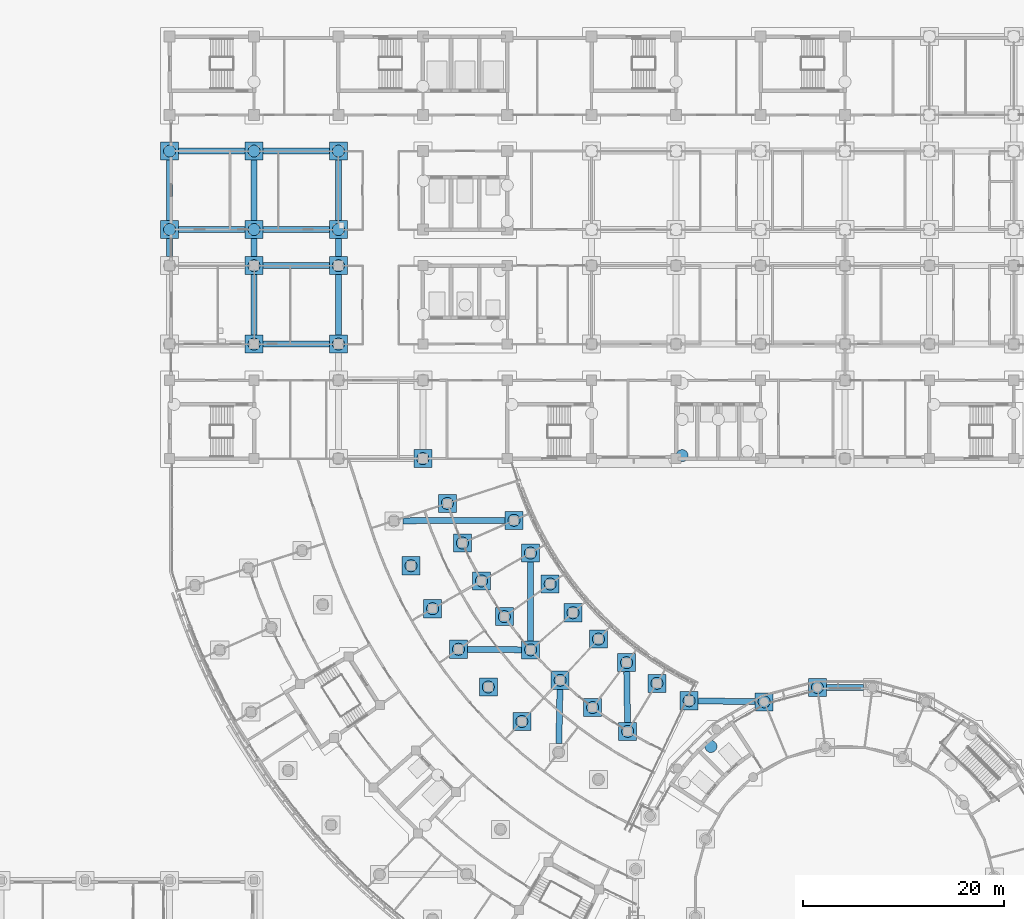
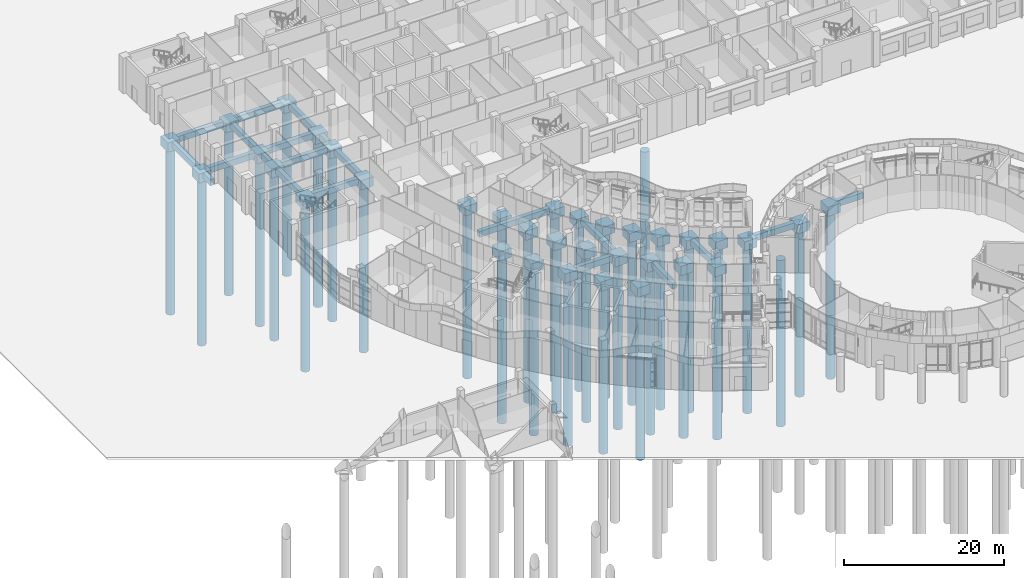
# One storey, part 4 of 146: 55 footings, 36 piles.
"""IFC4 building model written with IfcOpenShell, lengths in metres."""

from ifc_helpers import new_model, si_unit, direction, frame, origin, origin_2d, place, context, subcontext, project, spatial, polyline, rectangle, circle, outline, extrude, material, material_profile, profile_set, type_object, element, save


model = new_model("IFC4")

# Units and contexts
model_context = context("Model", 3, precision=1e-05, world=origin(), true_north=direction((0.0, 1.0)))
body_context = subcontext(model_context, "Body", "Model", "MODEL_VIEW")
ifc_project = project(units=[si_unit("LENGTHUNIT", "METRE"), si_unit("AREAUNIT", "SQUARE_METRE"), si_unit("VOLUMEUNIT", "CUBIC_METRE"), si_unit("PLANEANGLEUNIT", "RADIAN"), si_unit("MASSUNIT", "GRAM", prefix="KILO")], contexts=[model_context])

# Site, building, storey
site_placement = place(None, origin())
site = spatial("IfcSite", under=ifc_project, at=site_placement, CompositionType="ELEMENT")
building_placement = place(site_placement, origin())
building = spatial("IfcBuilding", under=site, at=building_placement, Name="Bougainvillea Quay General Hospital", CompositionType="ELEMENT")
storey_placement = place(building_placement, origin())
storey = spatial("IfcBuildingStorey", under=building, at=storey_placement, Name="L00", CompositionType="ELEMENT", Elevation=0.0)

# Piles
ifc_material_1 = material(Name="Concrete C40", Category="concrete")
ifc_material_profile_1 = material_profile(ifc_material_1, circle(Radius=0.60009765625, at=origin_2d()))
ifc_profile_set_1 = profile_set([ifc_material_profile_1], Name="Concrete C40")
pile_type = type_object("IfcPileType", Name="BORED PILE D1200 C40", PredefinedType="BORED", material=ifc_profile_set_1)
for number, where, z_axis, x_axis, name in (
    (1, (95.868408203125, 88.95703125, -1.60009765625), (0.0, 0.0, -1.0), (1.0, 0.0, 0.0), "Bored pile 135-02"),
    (2, (87.5810546875, 90.458984375, -1.60009765625), (0.0, 0.0, -1.0), (1.0, 0.0, 0.0), "Bored pile 139-01"),
    (3, (77.048095703125, 91.444091796875, -1.60009765625), (0.0, 0.0, -1.0), (1.0, 0.0, 0.0), "Bored pile 140-01"),
    (4, (84.093017578125, 92.8310546875, -1.60009765625), (0.0, 0.0, -1.0), (1.0, 0.0, 0.0), "Bored pile 144-01"),
    (5, (101.1640625, 93.40087890625, -1.60009765625), (0.0, 0.0, -1.0), (1.0, 0.0, 0.0), "Bored pile 145-01"),
    (6, (93.701904296875, 93.507080078125, -1.60009765625), (0.0, 0.0, -1.0), (1.0, 0.0, 0.0), "Bored pile 147-01"),
    (7, (106.458984375, 94.820068359375, -1.60009765625), (0.0, 0.0, -1.0), (1.0, 0.0, 0.0), "Bored pile 149-01"),
    (8, (73.714111328125, 94.8779296875, -1.60009765625), (0.0, 0.0, -1.0), (1.0, 0.0, 0.0), "Bored pile 151-01"),
    (9, (90.490966796875, 95.242919921875, -1.60009765625), (0.0, 0.0, -1.0), (1.0, 0.0, 0.0), "Bored pile 152-01"),
    (10, (80.863037109375, 95.5439453125, -1.60009765625), (0.0, 0.0, -1.0), (1.0, 0.0, 0.0), "Bored pile 153-01"),
    (11, (87.471923828125, 97.2958984375, -1.60009765625), (0.0, 0.0, -1.0), (1.0, 0.0, 0.0), "Bored pile 155-01"),
    (12, (77.924072265625, 98.570068359375, -1.60009765625), (0.0, 0.0, -1.0), (1.0, 0.0, 0.0), "Bored pile 157-01"),
    (13, (70.7451171875, 98.631103515625, -1.60009765625), (0.0, 0.0, -1.0), (1.0, 0.0, 0.0), "Bored pile 158-01"),
    (14, (84.677001953125, 99.64404296875, -1.60009765625), (0.0, 0.0, -1.0), (1.0, 0.0, 0.0), "Bored pile 159-01"),
    (15, (75.30810546875, 101.8779296875, -1.60009765625), (0.0, 0.0, -1.0), (1.0, 0.0, 0.0), "Bored pile 163-01"),
    (16, (82.135009765625, 102.262939453125, -1.60009765625), (0.0, 0.0, -1.0), (1.0, 0.0, 0.0), "Bored pile 164-01"),
    (17, (68.1708984375, 102.666015625, -1.60009765625), (0.0, 0.0, -1.0), (1.0, 0.0, 0.0), "Bored pile 165-01"),
    (18, (79.8701171875, 105.125, -1.60009765625), (0.0, 0.0, -1.0), (1.0, 0.0, 0.0), "Bored pile 168-01"),
    (19, (73.0390625, 105.43408203125, -1.60009765625), (0.0, 0.0, -1.0), (1.0, 0.0, 0.0), "Bored pile 169-01"),
    (20, (66.01904296875, 106.94091796875, -1.60009765625), (0.0, 0.0, -1.0), (1.0, 0.0, 0.0), "Bored pile 171-01"),
    (21, (77.906982421875, 108.202880859375, -1.60009765625), (0.0, 0.0, -1.0), (1.0, 0.0, 0.0), "Bored pile 172-01"),
    (22, (71.14208984375, 109.201904296875, -1.60009765625), (0.0, 0.0, -1.0), (1.0, 0.0, 0.0), "Bored pile 178-01"),
    (23, (76.26611328125, 111.462890625, -1.60009765625), (0.0, 0.0, -1.0), (1.0, 0.0, 0.0), "Bored pile 180-01"),
    (24, (69.636962890625, 113.14208984375, -1.60009765625), (0.0, 0.0, -1.0), (1.0, 0.0, 0.0), "Bored pile 181-01"),
    (25, (67.199951171875, 117.60009765625, -1.60009765625), (0.0, 0.0, -1.0), (1.0, 0.0, 0.0), "Bored pile 183-01"),
    (26, (93.0, 117.89990234375, -1.60009765625), (0.0, 0.0, -1.0), (1.0, 0.0, 0.0), "Bored pile 191-01"),
    (27, (50.39990234375, 129.0, -1.60009765625), (0.0, 0.0, -1.0), (1.0, 0.0, 0.0), "Bored pile 205-01"),
    (28, (58.800048828125, 129.0, -1.60009765625), (0.0, 0.0, -1.0), (1.0, 0.0, 0.0), "Bored pile 206-01"),
    (29, (50.39990234375, 136.800048828125, -1.60009765625), (0.0, 0.0, -1.0), (1.0, 0.0, 0.0), "Bored pile 222-01"),
    (30, (58.800048828125, 136.800048828125, -1.60009765625), (0.0, 0.0, -1.0), (1.0, 0.0, 0.0), "Bored pile 223-01"),
    (31, (42.0, 140.39990234375, -1.60009765625), (0.0, 0.0, -1.0), (1.0, 0.0, 0.0), "Bored pile 236-01"),
    (32, (50.39990234375, 140.39990234375, -1.60009765625), (0.0, 0.0, -1.0), (1.0, 0.0, 0.0), "Bored pile 237-01"),
    (33, (58.800048828125, 140.39990234375, -1.60009765625), (0.0, 0.0, -1.0), (1.0, 0.0, 0.0), "Bored pile 238-01"),
    (34, (42.0, 148.199951171875, -1.60009765625), (0.0, 0.0, -1.0), (1.0, 0.0, 0.0), "Bored pile 253-01"),
    (35, (50.39990234375, 148.199951171875, -1.60009765625), (0.0, 0.0, -1.0), (1.0, 0.0, 0.0), "Bored pile 254-01"),
    (36, (58.800048828125, 148.199951171875, -1.60009765625), (0.0, 0.0, -1.0), (1.0, 0.0, 0.0), "Bored pile 255-01"),
):
    element("IfcPile", number, at=place(storey_placement, frame(where, z_axis=z_axis, x_axis=x_axis)), inside=storey, type_object=pile_type, Name=name, PredefinedType="BORED", context=body_context, shape_type="SweptSolid", body=[
        extrude(circle(Radius=0.60009765625, at=origin_2d()), origin(), (0.0, 0.0, 1.0), 25.39990234375),
    ])

# Footings
ifc_material_2 = material(Name="Concrete C35", Category="concrete")
footing_type_1 = type_object("IfcFootingType", Name="PILE CAP 1P D1200 1800x1800x1400", PredefinedType="PILE_CAP", material=ifc_material_2)
footing_1_placement = place(storey_placement, frame((0.0, 0.0, -1.699951171875)))
element("IfcFooting", 37, at=footing_1_placement, inside=storey, type_object=footing_type_1, Name="Pile cap PC1 139", PredefinedType="PILE_CAP", context=body_context, shape_type="SweptSolid", body=[
    extrude(outline(polyline([(86.680908203125, 89.55908203125), (88.48095703125, 89.55908203125), (88.48095703125, 91.35888671875), (86.680908203125, 91.35888671875), (86.680908203125, 89.55908203125)])), origin(), (0.0, 0.0, 1.0), 1.39990234375),
])
footing_2_placement = place(storey_placement, frame((0.0, 0.0, -1.699951171875)))
element("IfcFooting", 38, at=footing_2_placement, inside=storey, type_object=footing_type_1, Name="Pile cap PC1 140", PredefinedType="PILE_CAP", context=body_context, shape_type="SweptSolid", body=[
    extrude(outline(polyline([(76.14794921875, 90.5439453125), (77.947998046875, 90.5439453125), (77.947998046875, 92.343994140625), (76.14794921875, 92.343994140625), (76.14794921875, 90.5439453125)])), origin(), (0.0, 0.0, 1.0), 1.39990234375),
])
footing_3_placement = place(storey_placement, frame((0.0, 0.0, -1.699951171875)))
element("IfcFooting", 39, at=footing_3_placement, inside=storey, type_object=footing_type_1, Name="Pile cap PC1 144", PredefinedType="PILE_CAP", context=body_context, shape_type="SweptSolid", body=[
    extrude(outline(polyline([(83.193115234375, 91.930908203125), (84.992919921875, 91.930908203125), (84.992919921875, 93.73095703125), (83.193115234375, 93.73095703125), (83.193115234375, 91.930908203125)])), origin(), (0.0, 0.0, 1.0), 1.39990234375),
])
footing_4_placement = place(storey_placement, frame((0.0, 0.0, -1.699951171875)))
element("IfcFooting", 40, at=footing_4_placement, inside=storey, type_object=footing_type_1, Name="Pile cap PC1 145", PredefinedType="PILE_CAP", context=body_context, shape_type="SweptSolid", body=[
    extrude(outline(polyline([(100.263916015625, 92.5009765625), (102.06396484375, 92.5009765625), (102.06396484375, 94.301025390625), (100.263916015625, 94.301025390625), (100.263916015625, 92.5009765625)])), origin(), (0.0, 0.0, 1.0), 1.39990234375),
])
footing_5_placement = place(storey_placement, frame((0.0, 0.0, -1.699951171875)))
element("IfcFooting", 41, at=footing_5_placement, inside=storey, type_object=footing_type_1, Name="Pile cap PC1 147", PredefinedType="PILE_CAP", context=body_context, shape_type="SweptSolid", body=[
    extrude(outline(polyline([(92.802001953125, 92.60693359375), (94.60205078125, 92.60693359375), (94.60205078125, 94.406982421875), (92.802001953125, 94.406982421875), (92.802001953125, 92.60693359375)])), origin(), (0.0, 0.0, 1.0), 1.39990234375),
])
footing_6_placement = place(storey_placement, frame((0.0, 0.0, -1.699951171875)))
element("IfcFooting", 42, at=footing_6_placement, inside=storey, type_object=footing_type_1, Name="Pile cap PC1 149", PredefinedType="PILE_CAP", context=body_context, shape_type="SweptSolid", body=[
    extrude(outline(polyline([(105.55908203125, 93.919921875), (107.35888671875, 93.919921875), (107.35888671875, 95.719970703125), (105.55908203125, 95.719970703125), (105.55908203125, 93.919921875)])), origin(), (0.0, 0.0, 1.0), 1.39990234375),
])
footing_7_placement = place(storey_placement, frame((0.0, 0.0, -1.699951171875)))
element("IfcFooting", 43, at=footing_7_placement, inside=storey, type_object=footing_type_1, Name="Pile cap PC1 151", PredefinedType="PILE_CAP", context=body_context, shape_type="SweptSolid", body=[
    extrude(outline(polyline([(72.81396484375, 93.97802734375), (74.614013671875, 93.97802734375), (74.614013671875, 95.778076171875), (72.81396484375, 95.778076171875), (72.81396484375, 93.97802734375)])), origin(), (0.0, 0.0, 1.0), 1.39990234375),
])
footing_8_placement = place(storey_placement, frame((0.0, 0.0, -1.699951171875)))
element("IfcFooting", 44, at=footing_8_placement, inside=storey, type_object=footing_type_1, Name="Pile cap PC1 152", PredefinedType="PILE_CAP", context=body_context, shape_type="SweptSolid", body=[
    extrude(outline(polyline([(89.591064453125, 94.343017578125), (91.39111328125, 94.343017578125), (91.39111328125, 96.14306640625), (89.591064453125, 96.14306640625), (89.591064453125, 94.343017578125)])), origin(), (0.0, 0.0, 1.0), 1.39990234375),
])
footing_9_placement = place(storey_placement, frame((0.0, 0.0, -1.699951171875)))
element("IfcFooting", 45, at=footing_9_placement, inside=storey, type_object=footing_type_1, Name="Pile cap PC1 153", PredefinedType="PILE_CAP", context=body_context, shape_type="SweptSolid", body=[
    extrude(outline(polyline([(79.962890625, 94.64404296875), (81.762939453125, 94.64404296875), (81.762939453125, 96.444091796875), (79.962890625, 96.444091796875), (79.962890625, 94.64404296875)])), origin(), (0.0, 0.0, 1.0), 1.39990234375),
])
footing_10_placement = place(storey_placement, frame((0.0, 0.0, -1.699951171875)))
element("IfcFooting", 46, at=footing_10_placement, inside=storey, type_object=footing_type_1, Name="Pile cap PC1 155", PredefinedType="PILE_CAP", context=body_context, shape_type="SweptSolid", body=[
    extrude(outline(polyline([(86.572021484375, 96.39599609375), (88.3720703125, 96.39599609375), (88.3720703125, 98.196044921875), (86.572021484375, 98.196044921875), (86.572021484375, 96.39599609375)])), origin(), (0.0, 0.0, 1.0), 1.39990234375),
])
footing_11_placement = place(storey_placement, frame((0.0, 0.0, -1.699951171875)))
element("IfcFooting", 47, at=footing_11_placement, inside=storey, type_object=footing_type_1, Name="Pile cap PC1 157", PredefinedType="PILE_CAP", context=body_context, shape_type="SweptSolid", body=[
    extrude(outline(polyline([(77.02392578125, 97.669921875), (78.823974609375, 97.669921875), (78.823974609375, 99.469970703125), (77.02392578125, 99.469970703125), (77.02392578125, 97.669921875)])), origin(), (0.0, 0.0, 1.0), 1.39990234375),
])
footing_12_placement = place(storey_placement, frame((0.0, 0.0, -1.699951171875)))
element("IfcFooting", 48, at=footing_12_placement, inside=storey, type_object=footing_type_1, Name="Pile cap PC1 158", PredefinedType="PILE_CAP", context=body_context, shape_type="SweptSolid", body=[
    extrude(outline(polyline([(69.844970703125, 97.73095703125), (71.64501953125, 97.73095703125), (71.64501953125, 99.531005859375), (69.844970703125, 99.531005859375), (69.844970703125, 97.73095703125)])), origin(), (0.0, 0.0, 1.0), 1.39990234375),
])
footing_13_placement = place(storey_placement, frame((0.0, 0.0, -1.699951171875)))
element("IfcFooting", 49, at=footing_13_placement, inside=storey, type_object=footing_type_1, Name="Pile cap PC1 159", PredefinedType="PILE_CAP", context=body_context, shape_type="SweptSolid", body=[
    extrude(outline(polyline([(83.777099609375, 98.743896484375), (85.576904296875, 98.743896484375), (85.576904296875, 100.5439453125), (83.777099609375, 100.5439453125), (83.777099609375, 98.743896484375)])), origin(), (0.0, 0.0, 1.0), 1.39990234375),
])
footing_14_placement = place(storey_placement, frame((0.0, 0.0, -1.699951171875)))
element("IfcFooting", 50, at=footing_14_placement, inside=storey, type_object=footing_type_1, Name="Pile cap PC1 163", PredefinedType="PILE_CAP", context=body_context, shape_type="SweptSolid", body=[
    extrude(outline(polyline([(74.407958984375, 100.97802734375), (76.2080078125, 100.97802734375), (76.2080078125, 102.778076171875), (74.407958984375, 102.778076171875), (74.407958984375, 100.97802734375)])), origin(), (0.0, 0.0, 1.0), 1.39990234375),
])
footing_15_placement = place(storey_placement, frame((0.0, 0.0, -1.699951171875)))
element("IfcFooting", 51, at=footing_15_placement, inside=storey, type_object=footing_type_1, Name="Pile cap PC1 164", PredefinedType="PILE_CAP", context=body_context, shape_type="SweptSolid", body=[
    extrude(outline(polyline([(81.235107421875, 101.363037109375), (83.034912109375, 101.363037109375), (83.034912109375, 103.1630859375), (81.235107421875, 103.1630859375), (81.235107421875, 101.363037109375)])), origin(), (0.0, 0.0, 1.0), 1.39990234375),
])
footing_16_placement = place(storey_placement, frame((0.0, 0.0, -1.699951171875)))
element("IfcFooting", 52, at=footing_16_placement, inside=storey, type_object=footing_type_1, Name="Pile cap PC1 165", PredefinedType="PILE_CAP", context=body_context, shape_type="SweptSolid", body=[
    extrude(outline(polyline([(67.27099609375, 101.76611328125), (69.071044921875, 101.76611328125), (69.071044921875, 103.56591796875), (67.27099609375, 103.56591796875), (67.27099609375, 101.76611328125)])), origin(), (0.0, 0.0, 1.0), 1.39990234375),
])
footing_17_placement = place(storey_placement, frame((0.0, 0.0, -1.699951171875)))
element("IfcFooting", 53, at=footing_17_placement, inside=storey, type_object=footing_type_1, Name="Pile cap PC1 168", PredefinedType="PILE_CAP", context=body_context, shape_type="SweptSolid", body=[
    extrude(outline(polyline([(78.969970703125, 104.22509765625), (80.77001953125, 104.22509765625), (80.77001953125, 106.02490234375), (78.969970703125, 106.02490234375), (78.969970703125, 104.22509765625)])), origin(), (0.0, 0.0, 1.0), 1.39990234375),
])
footing_18_placement = place(storey_placement, frame((0.0, 0.0, -1.699951171875)))
element("IfcFooting", 54, at=footing_18_placement, inside=storey, type_object=footing_type_1, Name="Pile cap PC1 169", PredefinedType="PILE_CAP", context=body_context, shape_type="SweptSolid", body=[
    extrude(outline(polyline([(72.138916015625, 104.533935546875), (73.93896484375, 104.533935546875), (73.93896484375, 106.333984375), (72.138916015625, 106.333984375), (72.138916015625, 104.533935546875)])), origin(), (0.0, 0.0, 1.0), 1.39990234375),
])
footing_19_placement = place(storey_placement, frame((0.0, 0.0, -1.699951171875)))
element("IfcFooting", 55, at=footing_19_placement, inside=storey, type_object=footing_type_1, Name="Pile cap PC1 171", PredefinedType="PILE_CAP", context=body_context, shape_type="SweptSolid", body=[
    extrude(outline(polyline([(65.118896484375, 106.041015625), (66.9189453125, 106.041015625), (66.9189453125, 107.841064453125), (65.118896484375, 107.841064453125), (65.118896484375, 106.041015625)])), origin(), (0.0, 0.0, 1.0), 1.39990234375),
])
footing_20_placement = place(storey_placement, frame((0.0, 0.0, -1.699951171875)))
element("IfcFooting", 56, at=footing_20_placement, inside=storey, type_object=footing_type_1, Name="Pile cap PC1 172", PredefinedType="PILE_CAP", context=body_context, shape_type="SweptSolid", body=[
    extrude(outline(polyline([(77.007080078125, 107.302978515625), (78.806884765625, 107.302978515625), (78.806884765625, 109.10302734375), (77.007080078125, 109.10302734375), (77.007080078125, 107.302978515625)])), origin(), (0.0, 0.0, 1.0), 1.39990234375),
])
footing_21_placement = place(storey_placement, frame((0.0, 0.0, -1.699951171875)))
element("IfcFooting", 57, at=footing_21_placement, inside=storey, type_object=footing_type_1, Name="Pile cap PC1 178", PredefinedType="PILE_CAP", context=body_context, shape_type="SweptSolid", body=[
    extrude(outline(polyline([(70.241943359375, 108.302001953125), (72.0419921875, 108.302001953125), (72.0419921875, 110.10205078125), (70.241943359375, 110.10205078125), (70.241943359375, 108.302001953125)])), origin(), (0.0, 0.0, 1.0), 1.39990234375),
])
footing_22_placement = place(storey_placement, frame((0.0, 0.0, -1.699951171875)))
element("IfcFooting", 58, at=footing_22_placement, inside=storey, type_object=footing_type_1, Name="Pile cap PC1 180", PredefinedType="PILE_CAP", context=body_context, shape_type="SweptSolid", body=[
    extrude(outline(polyline([(75.365966796875, 110.56298828125), (77.166015625, 110.56298828125), (77.166015625, 112.363037109375), (75.365966796875, 112.363037109375), (75.365966796875, 110.56298828125)])), origin(), (0.0, 0.0, 1.0), 1.39990234375),
])
footing_23_placement = place(storey_placement, frame((0.0, 0.0, -1.699951171875)))
element("IfcFooting", 59, at=footing_23_placement, inside=storey, type_object=footing_type_1, Name="Pile cap PC1 181", PredefinedType="PILE_CAP", context=body_context, shape_type="SweptSolid", body=[
    extrude(outline(polyline([(68.737060546875, 112.241943359375), (70.537109375, 112.241943359375), (70.537109375, 114.0419921875), (68.737060546875, 114.0419921875), (68.737060546875, 112.241943359375)])), origin(), (0.0, 0.0, 1.0), 1.39990234375),
])
footing_24_placement = place(storey_placement, frame((0.0, 0.0, -1.699951171875)))
element("IfcFooting", 60, at=footing_24_placement, inside=storey, type_object=footing_type_1, Name="Pile cap PC1 183", PredefinedType="PILE_CAP", context=body_context, shape_type="SweptSolid", body=[
    extrude(outline(polyline([(66.300048828125, 116.699951171875), (68.10009765625, 116.699951171875), (68.10009765625, 118.5), (66.300048828125, 118.5), (66.300048828125, 116.699951171875)])), origin(), (0.0, 0.0, 1.0), 1.39990234375),
])
footing_25_placement = place(storey_placement, frame((0.0, 0.0, -1.699951171875)))
element("IfcFooting", 61, at=footing_25_placement, inside=storey, type_object=footing_type_1, Name="Pile cap PC1 205", PredefinedType="PILE_CAP", context=body_context, shape_type="SweptSolid", body=[
    extrude(outline(polyline([(49.5, 128.10009765625), (51.300048828125, 128.10009765625), (51.300048828125, 129.89990234375), (49.5, 129.89990234375), (49.5, 128.10009765625)])), origin(), (0.0, 0.0, 1.0), 1.39990234375),
])
footing_26_placement = place(storey_placement, frame((0.0, 0.0, -1.699951171875)))
element("IfcFooting", 62, at=footing_26_placement, inside=storey, type_object=footing_type_1, Name="Pile cap PC1 206", PredefinedType="PILE_CAP", context=body_context, shape_type="SweptSolid", body=[
    extrude(outline(polyline([(57.89990234375, 128.10009765625), (59.699951171875, 128.10009765625), (59.699951171875, 129.89990234375), (57.89990234375, 129.89990234375), (57.89990234375, 128.10009765625)])), origin(), (0.0, 0.0, 1.0), 1.39990234375),
])
footing_27_placement = place(storey_placement, frame((0.0, 0.0, -1.699951171875)))
element("IfcFooting", 63, at=footing_27_placement, inside=storey, type_object=footing_type_1, Name="Pile cap PC1 222", PredefinedType="PILE_CAP", context=body_context, shape_type="SweptSolid", body=[
    extrude(outline(polyline([(49.5, 135.89990234375), (51.300048828125, 135.89990234375), (51.300048828125, 137.699951171875), (49.5, 137.699951171875), (49.5, 135.89990234375)])), origin(), (0.0, 0.0, 1.0), 1.39990234375),
])
footing_28_placement = place(storey_placement, frame((0.0, 0.0, -1.699951171875)))
element("IfcFooting", 64, at=footing_28_placement, inside=storey, type_object=footing_type_1, Name="Pile cap PC1 223", PredefinedType="PILE_CAP", context=body_context, shape_type="SweptSolid", body=[
    extrude(outline(polyline([(57.89990234375, 135.89990234375), (59.699951171875, 135.89990234375), (59.699951171875, 137.699951171875), (57.89990234375, 137.699951171875), (57.89990234375, 135.89990234375)])), origin(), (0.0, 0.0, 1.0), 1.39990234375),
])
footing_29_placement = place(storey_placement, frame((0.0, 0.0, -1.699951171875)))
element("IfcFooting", 65, at=footing_29_placement, inside=storey, type_object=footing_type_1, Name="Pile cap PC1 236", PredefinedType="PILE_CAP", context=body_context, shape_type="SweptSolid", body=[
    extrude(outline(polyline([(41.10009765625, 139.5), (42.89990234375, 139.5), (42.89990234375, 141.300048828125), (41.10009765625, 141.300048828125), (41.10009765625, 139.5)])), origin(), (0.0, 0.0, 1.0), 1.39990234375),
])
footing_30_placement = place(storey_placement, frame((0.0, 0.0, -1.699951171875)))
element("IfcFooting", 66, at=footing_30_placement, inside=storey, type_object=footing_type_1, Name="Pile cap PC1 237", PredefinedType="PILE_CAP", context=body_context, shape_type="SweptSolid", body=[
    extrude(outline(polyline([(49.5, 139.5), (51.300048828125, 139.5), (51.300048828125, 141.300048828125), (49.5, 141.300048828125), (49.5, 139.5)])), origin(), (0.0, 0.0, 1.0), 1.39990234375),
])
footing_31_placement = place(storey_placement, frame((0.0, 0.0, -1.699951171875)))
element("IfcFooting", 67, at=footing_31_placement, inside=storey, type_object=footing_type_1, Name="Pile cap PC1 238", PredefinedType="PILE_CAP", context=body_context, shape_type="SweptSolid", body=[
    extrude(outline(polyline([(57.89990234375, 139.5), (59.699951171875, 139.5), (59.699951171875, 141.300048828125), (57.89990234375, 141.300048828125), (57.89990234375, 139.5)])), origin(), (0.0, 0.0, 1.0), 1.39990234375),
])
footing_32_placement = place(storey_placement, frame((0.0, 0.0, -1.699951171875)))
element("IfcFooting", 68, at=footing_32_placement, inside=storey, type_object=footing_type_1, Name="Pile cap PC1 253", PredefinedType="PILE_CAP", context=body_context, shape_type="SweptSolid", body=[
    extrude(outline(polyline([(41.10009765625, 147.300048828125), (42.89990234375, 147.300048828125), (42.89990234375, 149.10009765625), (41.10009765625, 149.10009765625), (41.10009765625, 147.300048828125)])), origin(), (0.0, 0.0, 1.0), 1.39990234375),
])
footing_33_placement = place(storey_placement, frame((0.0, 0.0, -1.699951171875)))
element("IfcFooting", 69, at=footing_33_placement, inside=storey, type_object=footing_type_1, Name="Pile cap PC1 254", PredefinedType="PILE_CAP", context=body_context, shape_type="SweptSolid", body=[
    extrude(outline(polyline([(49.5, 147.300048828125), (51.300048828125, 147.300048828125), (51.300048828125, 149.10009765625), (49.5, 149.10009765625), (49.5, 147.300048828125)])), origin(), (0.0, 0.0, 1.0), 1.39990234375),
])
footing_34_placement = place(storey_placement, frame((0.0, 0.0, -1.699951171875)))
element("IfcFooting", 70, at=footing_34_placement, inside=storey, type_object=footing_type_1, Name="Pile cap PC1 255", PredefinedType="PILE_CAP", context=body_context, shape_type="SweptSolid", body=[
    extrude(outline(polyline([(57.89990234375, 147.300048828125), (59.699951171875, 147.300048828125), (59.699951171875, 149.10009765625), (57.89990234375, 149.10009765625), (57.89990234375, 147.300048828125)])), origin(), (0.0, 0.0, 1.0), 1.39990234375),
])
ifc_material_profile_2 = material_profile(ifc_material_2, rectangle(XDim=0.60009765625, YDim=0.89990234375, at=origin_2d()))
ifc_profile_set_2 = profile_set([ifc_material_profile_2], Name="Concrete C35")
footing_type_2 = type_object("IfcFootingType", Name="RC GROUND BEAM 600x900 C35", PredefinedType="FOOTING_BEAM", material=ifc_profile_set_2)
footing_35_placement = place(storey_placement, frame((0.0, 0.0, -1.199951171875)))
element("IfcFooting", 71, at=footing_35_placement, inside=storey, type_object=footing_type_2, Name="Ground beam 147", PredefinedType="FOOTING_BEAM", context=body_context, shape_type="SweptSolid", body=[
    extrude(outline(polyline([(80.431884765625, 89.272216796875), (80.544189453125, 94.650146484375), (81.14404296875, 94.6376953125), (81.03173828125, 89.259765625), (80.431884765625, 89.272216796875)])), origin(), (0.0, 0.0, 1.0), 0.89990234375),
])
footing_36_placement = place(storey_placement, frame((0.0, 0.0, -1.199951171875)))
element("IfcFooting", 72, at=footing_36_placement, inside=storey, type_object=footing_type_2, Name="Ground beam 148", PredefinedType="FOOTING_BEAM", context=body_context, shape_type="SweptSolid", body=[
    extrude(outline(polyline([(87.2666015625, 91.354248046875), (87.186279296875, 96.39111328125), (87.786376953125, 96.40087890625), (87.86669921875, 91.36376953125), (87.2666015625, 91.354248046875)])), origin(), (0.0, 0.0, 1.0), 0.89990234375),
])
footing_37_placement = place(storey_placement, frame((0.0, 0.0, -1.199951171875)))
element("IfcFooting", 73, at=footing_37_placement, inside=storey, type_object=footing_type_2, Name="Ground beam 156", PredefinedType="FOOTING_BEAM", context=body_context, shape_type="SweptSolid", body=[
    extrude(outline(polyline([(94.606201171875, 93.794189453125), (100.268310546875, 93.7138671875), (100.259765625, 93.11376953125), (94.59765625, 93.1943359375), (94.606201171875, 93.794189453125)])), origin(), (0.0, 0.0, 1.0), 0.89990234375),
])
footing_38_placement = place(storey_placement, frame((0.0, 0.0, -1.199951171875)))
element("IfcFooting", 74, at=footing_38_placement, inside=storey, type_object=footing_type_2, Name="Ground beam 158", PredefinedType="FOOTING_BEAM", context=body_context, shape_type="SweptSolid", body=[
    extrude(outline(polyline([(107.35888671875, 95.1201171875), (111.041015625, 95.1201171875), (111.041015625, 94.52001953125), (107.35888671875, 94.52001953125), (107.35888671875, 95.1201171875)])), origin(), (0.0, 0.0, 1.0), 0.89990234375),
])
footing_39_placement = place(storey_placement, frame((0.0, 0.0, -1.199951171875)))
element("IfcFooting", 75, at=footing_39_placement, inside=storey, type_object=footing_type_2, Name="Ground beam 161", PredefinedType="FOOTING_BEAM", context=body_context, shape_type="SweptSolid", body=[
    extrude(outline(polyline([(77.622314453125, 99.469482421875), (77.608642578125, 107.302490234375), (78.20849609375, 107.303466796875), (78.222412109375, 99.470458984375), (77.622314453125, 99.469482421875)])), origin(), (0.0, 0.0, 1.0), 0.89990234375),
])
footing_40_placement = place(storey_placement, frame((0.0, 0.0, -1.199951171875)))
element("IfcFooting", 76, at=footing_40_placement, inside=storey, type_object=footing_type_2, Name="Ground beam 162", PredefinedType="FOOTING_BEAM", context=body_context, shape_type="SweptSolid", body=[
    extrude(outline(polyline([(71.6474609375, 98.92333984375), (77.026611328125, 98.877685546875), (77.021484375, 98.277587890625), (71.642333984375, 98.3232421875), (71.6474609375, 98.92333984375)])), origin(), (0.0, 0.0, 1.0), 0.89990234375),
])
footing_41_placement = place(storey_placement, frame((0.0, 0.0, -1.199951171875)))
element("IfcFooting", 77, at=footing_41_placement, inside=storey, type_object=footing_type_2, Name="Ground beam 177", PredefinedType="FOOTING_BEAM", context=body_context, shape_type="SweptSolid", body=[
    extrude(outline(polyline([(65.209716796875, 111.71484375), (75.36474609375, 111.759033203125), (75.3671875, 111.1591796875), (65.21240234375, 111.114990234375), (65.209716796875, 111.71484375)])), origin(), (0.0, 0.0, 1.0), 0.89990234375),
])
footing_42_placement = place(storey_placement, frame((0.0, 0.0, -1.199951171875)))
element("IfcFooting", 78, at=footing_42_placement, inside=storey, type_object=footing_type_2, Name="Ground beam 214", PredefinedType="FOOTING_BEAM", context=body_context, shape_type="SweptSolid", body=[
    extrude(outline(polyline([(51.300048828125, 129.300048828125), (57.89990234375, 129.300048828125), (57.89990234375, 128.699951171875), (51.300048828125, 128.699951171875), (51.300048828125, 129.300048828125)])), origin(), (0.0, 0.0, 1.0), 0.89990234375),
])
footing_43_placement = place(storey_placement, frame((0.0, 0.0, -1.199951171875)))
element("IfcFooting", 79, at=footing_43_placement, inside=storey, type_object=footing_type_2, Name="Ground beam 215", PredefinedType="FOOTING_BEAM", context=body_context, shape_type="SweptSolid", body=[
    extrude(outline(polyline([(50.10009765625, 129.89990234375), (50.10009765625, 135.89990234375), (50.699951171875, 135.89990234375), (50.699951171875, 129.89990234375), (50.10009765625, 129.89990234375)])), origin(), (0.0, 0.0, 1.0), 0.89990234375),
])
footing_44_placement = place(storey_placement, frame((0.0, 0.0, -1.199951171875)))
element("IfcFooting", 80, at=footing_44_placement, inside=storey, type_object=footing_type_2, Name="Ground beam 217", PredefinedType="FOOTING_BEAM", context=body_context, shape_type="SweptSolid", body=[
    extrude(outline(polyline([(58.5, 129.89990234375), (58.5, 135.89990234375), (59.10009765625, 135.89990234375), (59.10009765625, 129.89990234375), (58.5, 129.89990234375)])), origin(), (0.0, 0.0, 1.0), 0.89990234375),
])
footing_45_placement = place(storey_placement, frame((0.0, 0.0, -1.199951171875)))
element("IfcFooting", 81, at=footing_45_placement, inside=storey, type_object=footing_type_2, Name="Ground beam 244", PredefinedType="FOOTING_BEAM", context=body_context, shape_type="SweptSolid", body=[
    extrude(outline(polyline([(41.699951171875, 137.699951171875), (41.699951171875, 139.5), (42.300048828125, 139.5), (42.300048828125, 137.699951171875), (41.699951171875, 137.699951171875)])), origin(), (0.0, 0.0, 1.0), 0.89990234375),
])
footing_46_placement = place(storey_placement, frame((0.0, 0.0, -1.199951171875)))
element("IfcFooting", 82, at=footing_46_placement, inside=storey, type_object=footing_type_2, Name="Ground beam 245", PredefinedType="FOOTING_BEAM", context=body_context, shape_type="SweptSolid", body=[
    extrude(outline(polyline([(51.300048828125, 137.10009765625), (57.89990234375, 137.10009765625), (57.89990234375, 136.5), (51.300048828125, 136.5), (51.300048828125, 137.10009765625)])), origin(), (0.0, 0.0, 1.0), 0.89990234375),
])
footing_47_placement = place(storey_placement, frame((0.0, 0.0, -1.199951171875)))
element("IfcFooting", 83, at=footing_47_placement, inside=storey, type_object=footing_type_2, Name="Ground beam 246", PredefinedType="FOOTING_BEAM", context=body_context, shape_type="SweptSolid", body=[
    extrude(outline(polyline([(50.10009765625, 137.699951171875), (50.10009765625, 139.5), (50.699951171875, 139.5), (50.699951171875, 137.699951171875), (50.10009765625, 137.699951171875)])), origin(), (0.0, 0.0, 1.0), 0.89990234375),
])
footing_48_placement = place(storey_placement, frame((0.0, 0.0, -1.199951171875)))
element("IfcFooting", 84, at=footing_48_placement, inside=storey, type_object=footing_type_2, Name="Ground beam 248", PredefinedType="FOOTING_BEAM", context=body_context, shape_type="SweptSolid", body=[
    extrude(outline(polyline([(58.5, 137.699951171875), (58.5, 139.5), (59.10009765625, 139.5), (59.10009765625, 137.699951171875), (58.5, 137.699951171875)])), origin(), (0.0, 0.0, 1.0), 0.89990234375),
])
footing_49_placement = place(storey_placement, frame((0.0, 0.0, -1.199951171875)))
element("IfcFooting", 85, at=footing_49_placement, inside=storey, type_object=footing_type_2, Name="Ground beam 270", PredefinedType="FOOTING_BEAM", context=body_context, shape_type="SweptSolid", body=[
    extrude(outline(polyline([(42.89990234375, 140.699951171875), (49.5, 140.699951171875), (49.5, 140.10009765625), (42.89990234375, 140.10009765625), (42.89990234375, 140.699951171875)])), origin(), (0.0, 0.0, 1.0), 0.89990234375),
])
footing_50_placement = place(storey_placement, frame((0.0, 0.0, -1.199951171875)))
element("IfcFooting", 86, at=footing_50_placement, inside=storey, type_object=footing_type_2, Name="Ground beam 271", PredefinedType="FOOTING_BEAM", context=body_context, shape_type="SweptSolid", body=[
    extrude(outline(polyline([(41.699951171875, 141.300048828125), (41.699951171875, 147.300048828125), (42.300048828125, 147.300048828125), (42.300048828125, 141.300048828125), (41.699951171875, 141.300048828125)])), origin(), (0.0, 0.0, 1.0), 0.89990234375),
])
footing_51_placement = place(storey_placement, frame((0.0, 0.0, -1.199951171875)))
element("IfcFooting", 87, at=footing_51_placement, inside=storey, type_object=footing_type_2, Name="Ground beam 272", PredefinedType="FOOTING_BEAM", context=body_context, shape_type="SweptSolid", body=[
    extrude(outline(polyline([(51.300048828125, 140.699951171875), (57.89990234375, 140.699951171875), (57.89990234375, 140.10009765625), (51.300048828125, 140.10009765625), (51.300048828125, 140.699951171875)])), origin(), (0.0, 0.0, 1.0), 0.89990234375),
])
footing_52_placement = place(storey_placement, frame((0.0, 0.0, -1.199951171875)))
element("IfcFooting", 88, at=footing_52_placement, inside=storey, type_object=footing_type_2, Name="Ground beam 273", PredefinedType="FOOTING_BEAM", context=body_context, shape_type="SweptSolid", body=[
    extrude(outline(polyline([(50.10009765625, 141.300048828125), (50.10009765625, 147.300048828125), (50.699951171875, 147.300048828125), (50.699951171875, 141.300048828125), (50.10009765625, 141.300048828125)])), origin(), (0.0, 0.0, 1.0), 0.89990234375),
])
footing_53_placement = place(storey_placement, frame((0.0, 0.0, -1.199951171875)))
element("IfcFooting", 89, at=footing_53_placement, inside=storey, type_object=footing_type_2, Name="Ground beam 275", PredefinedType="FOOTING_BEAM", context=body_context, shape_type="SweptSolid", body=[
    extrude(outline(polyline([(58.5, 141.300048828125), (58.5, 147.300048828125), (59.10009765625, 147.300048828125), (59.10009765625, 141.300048828125), (58.5, 141.300048828125)])), origin(), (0.0, 0.0, 1.0), 0.89990234375),
])
footing_54_placement = place(storey_placement, frame((0.0, 0.0, -1.199951171875)))
element("IfcFooting", 90, at=footing_54_placement, inside=storey, type_object=footing_type_2, Name="Ground beam 300", PredefinedType="FOOTING_BEAM", context=body_context, shape_type="SweptSolid", body=[
    extrude(outline(polyline([(42.89990234375, 148.5), (49.5, 148.5), (49.5, 147.89990234375), (42.89990234375, 147.89990234375), (42.89990234375, 148.5)])), origin(), (0.0, 0.0, 1.0), 0.89990234375),
])
footing_55_placement = place(storey_placement, frame((0.0, 0.0, -1.199951171875)))
element("IfcFooting", 91, at=footing_55_placement, inside=storey, type_object=footing_type_2, Name="Ground beam 301", PredefinedType="FOOTING_BEAM", context=body_context, shape_type="SweptSolid", body=[
    extrude(outline(polyline([(51.300048828125, 148.5), (57.89990234375, 148.5), (57.89990234375, 147.89990234375), (51.300048828125, 147.89990234375), (51.300048828125, 148.5)])), origin(), (0.0, 0.0, 1.0), 0.89990234375),
])

save(model, "model.ifc")
